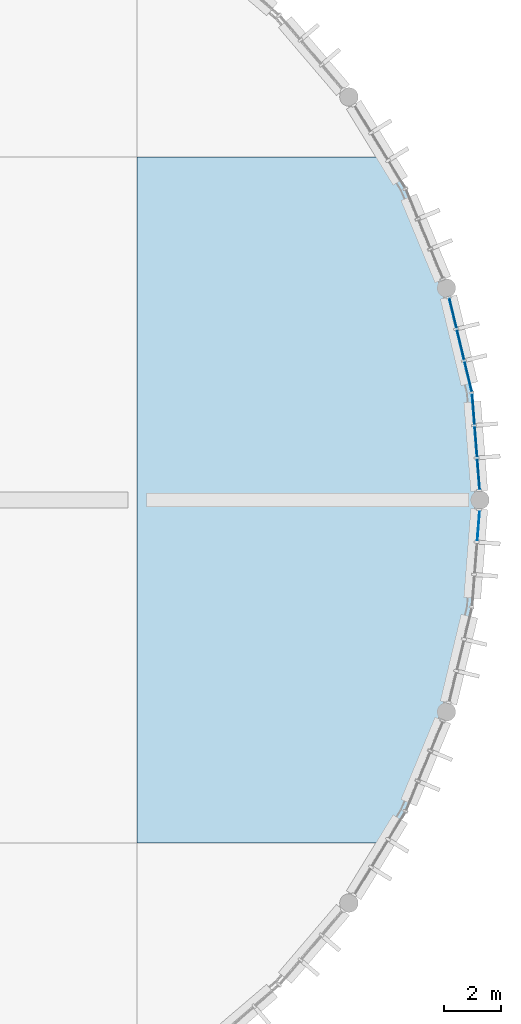
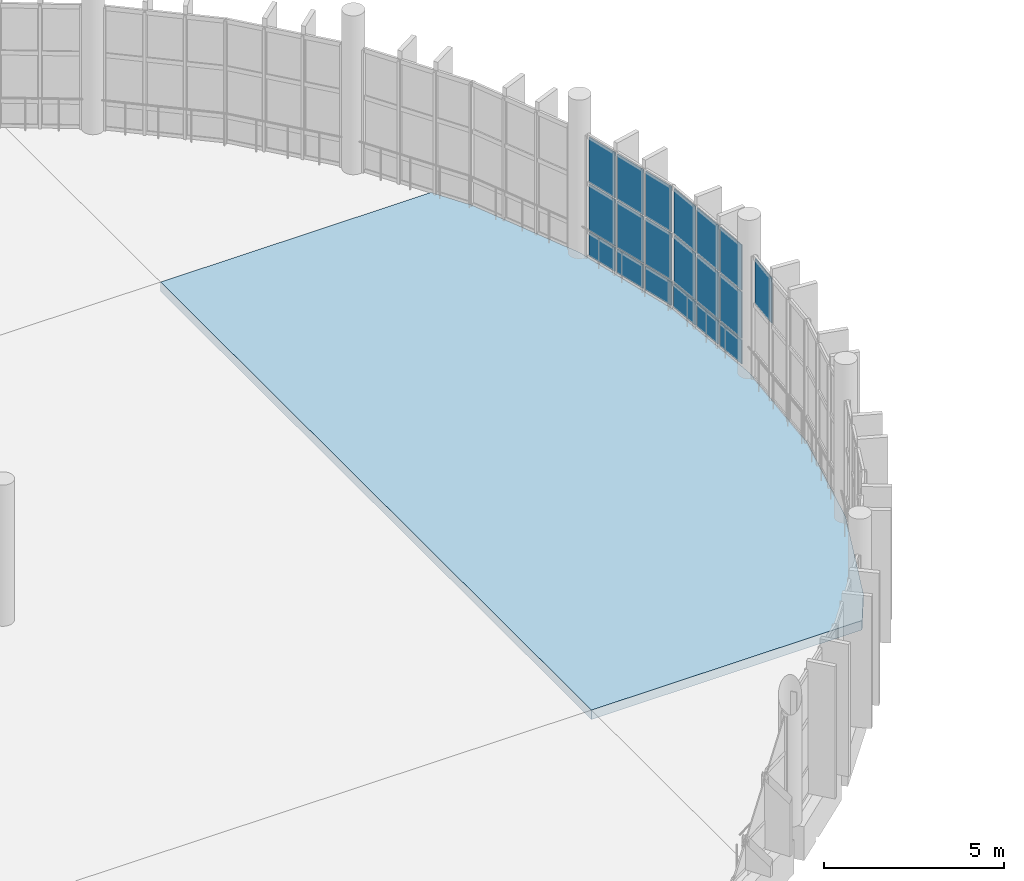
# One storey, part 70 of 112: 19 plates, 1 slab, 3 elements without a shape of their own.
"""IFC4 building model written with IfcOpenShell, lengths in metres."""

from ifc_helpers import new_model, si_unit, direction, frame, origin, origin_2d, place, context, subcontext, project, spatial, polyline, rectangle, outline, extrude, material, layer, layer_set, type_object, element, aggregate, save


model = new_model("IFC4")

# Units and contexts
model_context = context("Model", 3, precision=1e-05, world=origin(), true_north=direction((0.0, 1.0)))
body_context = subcontext(model_context, "Body", "Model", "MODEL_VIEW")
ifc_project = project(units=[si_unit("LENGTHUNIT", "METRE"), si_unit("AREAUNIT", "SQUARE_METRE"), si_unit("VOLUMEUNIT", "CUBIC_METRE"), si_unit("PLANEANGLEUNIT", "RADIAN"), si_unit("MASSUNIT", "GRAM", prefix="KILO")], contexts=[model_context])

# Site, building, storey
site_placement = place(None, origin())
site = spatial("IfcSite", under=ifc_project, at=site_placement, CompositionType="ELEMENT")
building_placement = place(site_placement, origin())
building = spatial("IfcBuilding", under=site, at=building_placement, Name="Kamomehara Wholesale Market", CompositionType="ELEMENT")
storey_placement = place(building_placement, frame((0.0, 0.0, 6.60009765625)))
storey = spatial("IfcBuildingStorey", under=building, at=storey_placement, Name="L01", CompositionType="ELEMENT", Elevation=6.60009765625)

# Curtain wall, plates
ifc_material_1 = material(Name="Anodised aluminium 6063-T5", Category="aluminium")
curtain_wall_type = type_object("IfcCurtainWallType", Name="CW-UN-05", PredefinedType="NOTDEFINED", material=ifc_material_1)
curtain_wall_1_placement = place(storey_placement, origin())
curtain_wall_1 = element("IfcCurtainWall", 1, at=curtain_wall_1_placement, inside=storey, type_object=curtain_wall_type, Name="Unitised curtain wall CW-105", PredefinedType="NOTDEFINED")
ifc_material_2 = material(Name="Solar-control Low-E double glazing", Category="glass")
ifc_layer_1 = layer(ifc_material_2, 0.028076171875)
ifc_layer_set_1 = layer_set([ifc_layer_1], Name="Solar-control Low-E double glazing")
plate_type_1 = type_object("IfcPlateType", Name="CW-PNL-GLZ", PredefinedType="CURTAIN_PANEL", material=ifc_layer_set_1)
plate_1_placement = place(storey_placement, frame((203.055908203125, 138.5400390625, 0.929931640625), z_axis=(0.0, 0.0, 1.0), x_axis=(0.233852648724, -0.972272049729, 0.0)))
plate_1 = element("IfcPlate", 2, at=plate_1_placement, type_object=plate_type_1, Name="Curtain panel CW-105.0.1", PredefinedType="CURTAIN_PANEL", context=body_context, shape_type="SweptSolid", body=[
    extrude(rectangle(XDim=1.06005859375, YDim=0.028076171875, at=origin_2d()), origin(), (0.0, 0.0, 1.0), 1.580078125),
])
plate_2_placement = place(storey_placement, frame((203.055908203125, 138.5400390625, 2.56982421875), z_axis=(0.0, 0.0, 1.0), x_axis=(0.233852648724, -0.972272049729, 0.0)))
plate_2 = element("IfcPlate", 3, at=plate_2_placement, type_object=plate_type_1, Name="Curtain panel CW-105.0.2", PredefinedType="CURTAIN_PANEL", context=body_context, shape_type="SweptSolid", body=[
    extrude(rectangle(XDim=1.06005859375, YDim=0.028076171875, at=origin_2d()), origin(), (0.0, 0.0, 1.0), 1.5400390625),
])
plate_3_placement = place(storey_placement, frame((203.322021484375, 137.431884765625, 0.929931640625), z_axis=(0.0, 0.0, 1.0), x_axis=(0.233852648724, -0.972272049729, 0.0)))
plate_3 = element("IfcPlate", 4, at=plate_3_placement, type_object=plate_type_1, Name="Curtain panel CW-105.1.1", PredefinedType="CURTAIN_PANEL", context=body_context, shape_type="SweptSolid", body=[
    extrude(rectangle(XDim=1.06005859375, YDim=0.028076171875, at=origin_2d()), origin(), (0.0, 0.0, 1.0), 1.580078125),
])
plate_4_placement = place(storey_placement, frame((203.322021484375, 137.431884765625, 2.56982421875), z_axis=(0.0, 0.0, 1.0), x_axis=(0.233852648724, -0.972272049729, 0.0)))
plate_4 = element("IfcPlate", 5, at=plate_4_placement, type_object=plate_type_1, Name="Curtain panel CW-105.1.2", PredefinedType="CURTAIN_PANEL", context=body_context, shape_type="SweptSolid", body=[
    extrude(rectangle(XDim=1.06005859375, YDim=0.028076171875, at=origin_2d()), origin(), (0.0, 0.0, 1.0), 1.5400390625),
])
plate_5_placement = place(storey_placement, frame((203.589111328125, 136.322998046875, 0.929931640625), z_axis=(0.0, 0.0, 1.0), x_axis=(0.233852648724, -0.972272049729, 0.0)))
plate_5 = element("IfcPlate", 6, at=plate_5_placement, type_object=plate_type_1, Name="Curtain panel CW-105.2.1", PredefinedType="CURTAIN_PANEL", context=body_context, shape_type="SweptSolid", body=[
    extrude(rectangle(XDim=1.06005859375, YDim=0.028076171875, at=origin_2d()), origin(), (0.0, 0.0, 1.0), 1.580078125),
])
plate_6_placement = place(storey_placement, frame((203.589111328125, 136.322998046875, 2.56982421875), z_axis=(0.0, 0.0, 1.0), x_axis=(0.233852648724, -0.972272049729, 0.0)))
plate_6 = element("IfcPlate", 7, at=plate_6_placement, type_object=plate_type_1, Name="Curtain panel CW-105.2.2", PredefinedType="CURTAIN_PANEL", context=body_context, shape_type="SweptSolid", body=[
    extrude(rectangle(XDim=1.06005859375, YDim=0.028076171875, at=origin_2d()), origin(), (0.0, 0.0, 1.0), 1.5400390625),
])

curtain_wall_2_placement = place(storey_placement, origin())
curtain_wall_2 = element("IfcCurtainWall", 8, at=curtain_wall_2_placement, inside=storey, type_object=curtain_wall_type, Name="Unitised curtain wall CW-106", PredefinedType="NOTDEFINED")
plate_7_placement = place(storey_placement, frame((203.77099609375, 135.177001953125, 0.929931640625), z_axis=(0.0, 0.0, 1.0), x_axis=(0.078354698359, -0.996925544484, 0.0)))
plate_7 = element("IfcPlate", 9, at=plate_7_placement, type_object=plate_type_1, Name="Curtain panel CW-106.0.1", PredefinedType="CURTAIN_PANEL", context=body_context, shape_type="SweptSolid", body=[
    extrude(rectangle(XDim=1.06005859375, YDim=0.028076171875, at=origin_2d()), origin(), (0.0, 0.0, 1.0), 1.580078125),
])
plate_8_placement = place(storey_placement, frame((203.77099609375, 135.177001953125, 2.56982421875), z_axis=(0.0, 0.0, 1.0), x_axis=(0.078354698359, -0.996925544484, 0.0)))
plate_8 = element("IfcPlate", 10, at=plate_8_placement, type_object=plate_type_1, Name="Curtain panel CW-106.0.2", PredefinedType="CURTAIN_PANEL", context=body_context, shape_type="SweptSolid", body=[
    extrude(rectangle(XDim=1.06005859375, YDim=0.028076171875, at=origin_2d()), origin(), (0.0, 0.0, 1.0), 1.5400390625),
])
plate_9_placement = place(storey_placement, frame((203.860107421875, 134.041015625, 0.929931640625), z_axis=(0.0, 0.0, 1.0), x_axis=(0.078354698359, -0.996925544484, 0.0)))
plate_9 = element("IfcPlate", 11, at=plate_9_placement, type_object=plate_type_1, Name="Curtain panel CW-106.1.1", PredefinedType="CURTAIN_PANEL", context=body_context, shape_type="SweptSolid", body=[
    extrude(rectangle(XDim=1.06005859375, YDim=0.028076171875, at=origin_2d()), origin(), (0.0, 0.0, 1.0), 1.580078125),
])
plate_10_placement = place(storey_placement, frame((203.860107421875, 134.041015625, 2.56982421875), z_axis=(0.0, 0.0, 1.0), x_axis=(0.078354698359, -0.996925544484, 0.0)))
plate_10 = element("IfcPlate", 12, at=plate_10_placement, type_object=plate_type_1, Name="Curtain panel CW-106.1.2", PredefinedType="CURTAIN_PANEL", context=body_context, shape_type="SweptSolid", body=[
    extrude(rectangle(XDim=1.06005859375, YDim=0.028076171875, at=origin_2d()), origin(), (0.0, 0.0, 1.0), 1.5400390625),
])
plate_11_placement = place(storey_placement, frame((203.948974609375, 132.904052734375, 0.929931640625), z_axis=(0.0, 0.0, 1.0), x_axis=(0.078354698359, -0.996925544484, 0.0)))
plate_11 = element("IfcPlate", 13, at=plate_11_placement, type_object=plate_type_1, Name="Curtain panel CW-106.2.1", PredefinedType="CURTAIN_PANEL", context=body_context, shape_type="SweptSolid", body=[
    extrude(rectangle(XDim=1.06005859375, YDim=0.028076171875, at=origin_2d()), origin(), (0.0, 0.0, 1.0), 1.580078125),
])
plate_12_placement = place(storey_placement, frame((203.948974609375, 132.904052734375, 2.56982421875), z_axis=(0.0, 0.0, 1.0), x_axis=(0.078354698359, -0.996925544484, 0.0)))
plate_12 = element("IfcPlate", 14, at=plate_12_placement, type_object=plate_type_1, Name="Curtain panel CW-106.2.2", PredefinedType="CURTAIN_PANEL", context=body_context, shape_type="SweptSolid", body=[
    extrude(rectangle(XDim=1.06005859375, YDim=0.028076171875, at=origin_2d()), origin(), (0.0, 0.0, 1.0), 1.5400390625),
])

# Curtain wall, plate
curtain_wall_3_placement = place(storey_placement, origin())
curtain_wall_3 = element("IfcCurtainWall", 15, at=curtain_wall_3_placement, inside=storey, type_object=curtain_wall_type, Name="Unitised curtain wall CW-107", PredefinedType="NOTDEFINED")
plate_13_placement = place(storey_placement, frame((203.948974609375, 131.095947265625, 2.56982421875), z_axis=(0.0, 0.0, 1.0), x_axis=(-0.078354698359, -0.996925544484, 0.0)))
plate_13 = element("IfcPlate", 16, at=plate_13_placement, type_object=plate_type_1, Name="Curtain panel CW-107.0.2", PredefinedType="CURTAIN_PANEL", context=body_context, shape_type="SweptSolid", body=[
    extrude(rectangle(XDim=1.06005859375, YDim=0.028076171875, at=origin_2d()), origin(), (0.0, 0.0, 1.0), 1.5400390625),
])
aggregate(curtain_wall_3, [plate_13])

# Plate
ifc_material_3 = material(Name="Insulated aluminium spandrel panel", Category="aluminium")
ifc_layer_2 = layer(ifc_material_3, 0.0400390625)
ifc_layer_set_2 = layer_set([ifc_layer_2], Name="Insulated aluminium spandrel panel")
plate_type_2 = type_object("IfcPlateType", Name="CW-PNL-SPN", PredefinedType="CURTAIN_PANEL", material=ifc_layer_set_2)
plate_14_placement = place(storey_placement, frame((203.055908203125, 138.5400390625, 0.06982421875), z_axis=(0.0, 0.0, 1.0), x_axis=(0.233852648724, -0.972272049729, 0.0)))
plate_14 = element("IfcPlate", 17, at=plate_14_placement, type_object=plate_type_2, Name="Curtain panel CW-105.0.0", PredefinedType="CURTAIN_PANEL", context=body_context, shape_type="SweptSolid", body=[
    extrude(rectangle(XDim=1.06005859375, YDim=0.0400390625, at=origin_2d()), origin(), (0.0, 0.0, 1.0), 0.800048828125),
])

plate_15_placement = place(storey_placement, frame((203.322021484375, 137.431884765625, 0.06982421875), z_axis=(0.0, 0.0, 1.0), x_axis=(0.233852648724, -0.972272049729, 0.0)))
plate_15 = element("IfcPlate", 18, at=plate_15_placement, type_object=plate_type_2, Name="Curtain panel CW-105.1.0", PredefinedType="CURTAIN_PANEL", context=body_context, shape_type="SweptSolid", body=[
    extrude(rectangle(XDim=1.06005859375, YDim=0.0400390625, at=origin_2d()), origin(), (0.0, 0.0, 1.0), 0.800048828125),
])

plate_16_placement = place(storey_placement, frame((203.589111328125, 136.322998046875, 0.06982421875), z_axis=(0.0, 0.0, 1.0), x_axis=(0.233852648724, -0.972272049729, 0.0)))
plate_16 = element("IfcPlate", 19, at=plate_16_placement, type_object=plate_type_2, Name="Curtain panel CW-105.2.0", PredefinedType="CURTAIN_PANEL", context=body_context, shape_type="SweptSolid", body=[
    extrude(rectangle(XDim=1.06005859375, YDim=0.0400390625, at=origin_2d()), origin(), (0.0, 0.0, 1.0), 0.800048828125),
])

aggregate(curtain_wall_1, [plate_14, plate_1, plate_2, plate_15, plate_3, plate_4, plate_16, plate_5, plate_6])

plate_17_placement = place(storey_placement, frame((203.77099609375, 135.177001953125, 0.06982421875), z_axis=(0.0, 0.0, 1.0), x_axis=(0.078354698359, -0.996925544484, 0.0)))
plate_17 = element("IfcPlate", 20, at=plate_17_placement, type_object=plate_type_2, Name="Curtain panel CW-106.0.0", PredefinedType="CURTAIN_PANEL", context=body_context, shape_type="SweptSolid", body=[
    extrude(rectangle(XDim=1.06005859375, YDim=0.0400390625, at=origin_2d()), origin(), (0.0, 0.0, 1.0), 0.800048828125),
])

plate_18_placement = place(storey_placement, frame((203.860107421875, 134.041015625, 0.06982421875), z_axis=(0.0, 0.0, 1.0), x_axis=(0.078354698359, -0.996925544484, 0.0)))
plate_18 = element("IfcPlate", 21, at=plate_18_placement, type_object=plate_type_2, Name="Curtain panel CW-106.1.0", PredefinedType="CURTAIN_PANEL", context=body_context, shape_type="SweptSolid", body=[
    extrude(rectangle(XDim=1.06005859375, YDim=0.0400390625, at=origin_2d()), origin(), (0.0, 0.0, 1.0), 0.800048828125),
])

plate_19_placement = place(storey_placement, frame((203.948974609375, 132.904052734375, 0.06982421875), z_axis=(0.0, 0.0, 1.0), x_axis=(0.078354698359, -0.996925544484, 0.0)))
plate_19 = element("IfcPlate", 22, at=plate_19_placement, type_object=plate_type_2, Name="Curtain panel CW-106.2.0", PredefinedType="CURTAIN_PANEL", context=body_context, shape_type="SweptSolid", body=[
    extrude(rectangle(XDim=1.06005859375, YDim=0.0400390625, at=origin_2d()), origin(), (0.0, 0.0, 1.0), 0.800048828125),
])

aggregate(curtain_wall_2, [plate_17, plate_7, plate_8, plate_18, plate_9, plate_10, plate_19, plate_11, plate_12])

# Slab
ifc_material_4 = material(Name="Concrete Fc36 (C35/45)", Category="concrete")
ifc_layer_3 = layer(ifc_material_4, 0.320068359375)
ifc_layer_set_3 = layer_set([ifc_layer_3], Name="Concrete Fc36 (C35/45)")
slab_type = type_object("IfcSlabType", Name="SLB-FLR-240", PredefinedType="FLOOR", material=ifc_layer_set_3)
slab_placement = place(storey_placement, frame((0.0, 0.0, -0.320068359375)))
element("IfcSlab", 23, at=slab_placement, inside=storey, type_object=slab_type, Name="Floor slab V1 L01 89", PredefinedType="FLOOR", context=body_context, shape_type="SweptSolid", body=[
    extrude(outline(polyline([(192.0, 120.0), (192.0, 144.0), (200.70703125, 144.0), (201.384033203125, 142.89599609375), (202.824951171875, 139.416015625), (203.705078125, 135.75390625), (204.0, 132.0), (203.705078125, 128.24609375), (202.824951171875, 124.583984375), (201.384033203125, 121.10400390625), (200.70703125, 120.0), (192.0, 120.0)])), origin(), (0.0, 0.0, 1.0), 0.320068359375),
])

save(model, "model.ifc")
